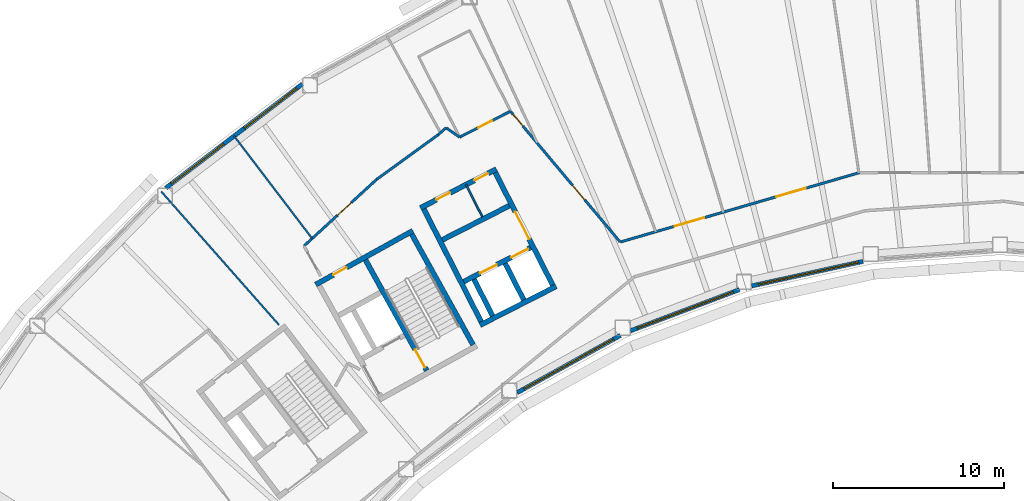
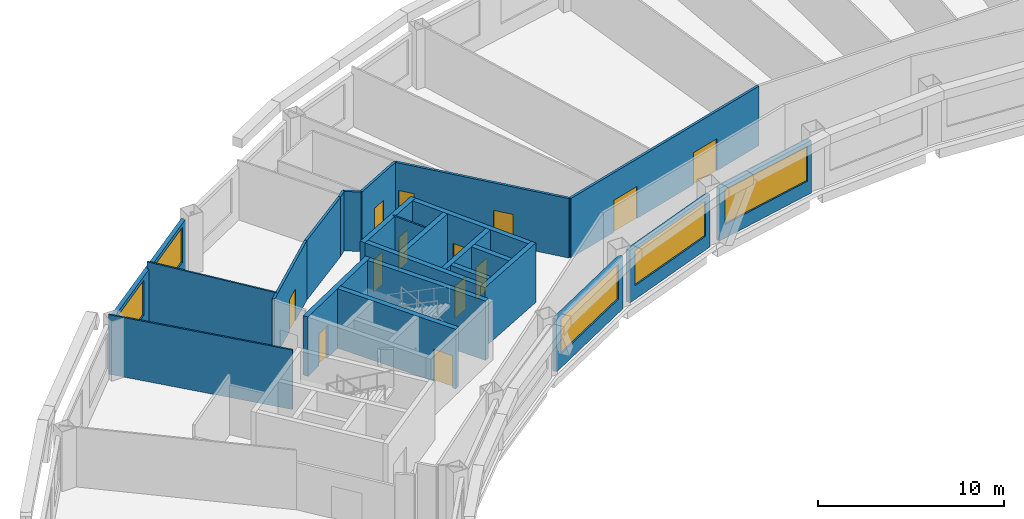
# One storey, part 6 of 14: 25 walls, 13 doors, 5 windows, 18 openings.
"""IFC4 building model written with IfcOpenShell, lengths in metres."""

from ifc_helpers import new_model, si_unit, direction, frame, frame_2d, origin, place, context, subcontext, project, spatial, rectangle, extrude, material, layer, layer_set, type_object, element, fill, save


model = new_model("IFC4")

# Units and contexts
model_context = context("Model", 3, precision=1e-05, world=origin(), true_north=direction((0.0, 1.0)))
body_context = subcontext(model_context, "Body", "Model", "MODEL_VIEW")
ifc_project = project(units=[si_unit("LENGTHUNIT", "METRE"), si_unit("AREAUNIT", "SQUARE_METRE"), si_unit("VOLUMEUNIT", "CUBIC_METRE"), si_unit("PLANEANGLEUNIT", "RADIAN"), si_unit("MASSUNIT", "GRAM", prefix="KILO")], contexts=[model_context])

# Site, building, storey
site_placement = place(None, origin())
site = spatial("IfcSite", under=ifc_project, at=site_placement, CompositionType="ELEMENT")
building_placement = place(site_placement, origin())
building = spatial("IfcBuilding", under=site, at=building_placement, Name="Tuul Gate Civic Tower", CompositionType="ELEMENT")
storey_placement = place(building_placement, frame((0.0, 0.0, 213.699951171875)))
storey = spatial("IfcBuildingStorey", under=building, at=storey_placement, Name="Level 48", CompositionType="ELEMENT", Elevation=213.699951171875)

# Wall, opening, door
ifc_material_1 = material(Name="Concrete C50/60", Category="concrete")
ifc_layer_1 = layer(ifc_material_1, 0.300048828125)
ifc_layer_set_1 = layer_set([ifc_layer_1], Name="Concrete C50/60")
wall_type_1 = type_object("IfcWallType", Name="Core wall C50/60", PredefinedType="SHEAR", material=ifc_layer_set_1)
wall_1_placement = place(storey_placement, frame((-28.4443359375, -1.98095703125, 0.0), z_axis=(0.0, 0.0, 1.0), x_axis=(-0.874629909008, -0.484791215132, 0.0)))
wall_1 = element("IfcWall", 1, at=wall_1_placement, inside=storey, type_object=wall_type_1, Name="Core wall", PredefinedType="SHEAR", context=body_context, shape_type="SweptSolid", body=[
    extrude(rectangle(XDim=6.5, YDim=0.300048828125, at=frame_2d((3.25, 0.0))), origin(), (0.0, 0.0, 1.0), 3.900146484375),
])
opening_1_placement = place(wall_1_placement, frame((4.425048828125, 0.0, 0.0)))
opening_1 = element("IfcOpeningElement", 2, at=opening_1_placement, cuts=wall_1, Name="Opening Q-D27", PredefinedType="OPENING", context=body_context, shape_type="SweptSolid", body=[
    extrude(rectangle(XDim=0.89990234375, YDim=2.10009765625, at=frame_2d((0.449951171875, 1.050048828125))), frame((0.0, 0.16015625, 0.0), z_axis=(0.0, -1.0, 0.0), x_axis=(1.0, 0.0, 0.0)), (0.0, 0.0, 1.0), 0.320068359375),
])
ifc_material_2 = material(Name="Timber door leaf", Category="wood")
door_type_1 = type_object("IfcDoorType", Name="Door D09", OperationType="NOTDEFINED", PredefinedType="DOOR", material=ifc_material_2)
door_1_placement = place(opening_1_placement, origin())
door_1 = element("IfcDoor", 3, at=door_1_placement, inside=storey, type_object=door_type_1, Name="Door Q-D27", OperationType="SINGLE_SWING_LEFT", OverallHeight=2.10009765625, OverallWidth=0.89990234375, PredefinedType="DOOR", context=body_context, shape_type="SweptSolid", body=[
    extrude(rectangle(XDim=0.89990234375, YDim=2.10009765625, at=frame_2d((0.449951171875, 1.050048828125))), frame((0.0, 0.02490234375, 0.0), z_axis=(0.0, -1.0, 0.0), x_axis=(1.0, 0.0, 0.0)), (0.0, 0.0, 1.0), 0.050048828125),
])
fill(opening_1, door_1)

# Wall
wall_2_placement = place(storey_placement, frame((-24.91552734375, -8.6572265625, 0.0), z_axis=(0.0, 0.0, 1.0), x_axis=(-0.484777133038, 0.874637714304, 0.0)))
element("IfcWall", 4, at=wall_2_placement, inside=storey, type_object=wall_type_1, Name="Core wall", PredefinedType="SHEAR", context=body_context, shape_type="SweptSolid", body=[
    extrude(rectangle(XDim=7.400146484375, YDim=0.300048828125, at=frame_2d((3.7001953125, 0.0))), origin(), (0.0, 0.0, 1.0), 3.900146484375),
])

# Wall, opening, door
wall_3_placement = place(storey_placement, frame((-27.626953125, -10.16015625, 0.0), z_axis=(0.0, 0.0, 1.0), x_axis=(-0.484751894226, 0.874651702704, 0.0)))
wall_3 = element("IfcWall", 5, at=wall_3_placement, inside=storey, type_object=wall_type_1, Name="Core wall", PredefinedType="SHEAR", context=body_context, shape_type="SweptSolid", body=[
    extrude(rectangle(XDim=7.39990234375, YDim=0.300048828125, at=frame_2d((3.699951171875, 0.0))), origin(), (0.0, 0.0, 1.0), 3.900146484375),
])
opening_2_placement = place(wall_3_placement, frame((0.199951171875, 0.0, 0.0)))
opening_2 = element("IfcOpeningElement", 6, at=opening_2_placement, cuts=wall_3, Name="Opening SD-ST-2", PredefinedType="OPENING", context=body_context, shape_type="SweptSolid", body=[
    extrude(rectangle(XDim=1.199951171875, YDim=2.10009765625, at=frame_2d((0.60009765625, 1.050048828125))), frame((0.0, 0.16015625, 0.0), z_axis=(0.0, -1.0, 0.0), x_axis=(1.0, 0.0, 0.0)), (0.0, 0.0, 1.0), 0.320068359375),
])
ifc_material_3 = material(Name="Steel", Category="steel")
door_type_2 = type_object("IfcDoorType", Name="Stair door", OperationType="NOTDEFINED", PredefinedType="DOOR", material=ifc_material_3)
door_2_placement = place(opening_2_placement, origin())
door_2 = element("IfcDoor", 7, at=door_2_placement, inside=storey, type_object=door_type_2, Name="Stair door ST-2", OperationType="SINGLE_SWING_LEFT", OverallHeight=2.10009765625, OverallWidth=1.199951171875, PredefinedType="DOOR", context=body_context, shape_type="SweptSolid", body=[
    extrude(rectangle(XDim=1.199951171875, YDim=2.10009765625, at=frame_2d((0.60009765625, 1.050048828125))), frame((0.0, 0.02490234375, 0.0), z_axis=(0.0, -1.0, 0.0), x_axis=(1.0, 0.0, 0.0)), (0.0, 0.0, 1.0), 0.050048828125),
])
fill(opening_2, door_2)

# Wall, openings, doors
ifc_material_4 = material(Name="Gypsum board partition")
ifc_layer_2 = layer(ifc_material_4, 0.14990234375)
ifc_layer_set_2 = layer_set([ifc_layer_2], Name="Gypsum board partition")
wall_type_2 = type_object("IfcWallType", Name="Corridor wall P150", PredefinedType="PARTITIONING", material=ifc_layer_set_2)
wall_4_placement = place(storey_placement, frame((-16.287109375, -2.635986328125, 0.0), z_axis=(0.0, 0.0, 1.0), x_axis=(0.960394372792, 0.278644305001, 0.0)))
wall_4 = element("IfcWall", 8, at=wall_4_placement, inside=storey, type_object=wall_type_2, Name="p035", PredefinedType="PARTITIONING", context=body_context, shape_type="SweptSolid", body=[
    extrude(rectangle(XDim=14.580322265625, YDim=0.14990234375, at=frame_2d((7.2900390625, 0.0))), origin(), (0.0, 0.0, 1.0), 3.900146484375),
])
opening_3_placement = place(wall_4_placement, frame((9.506103515625, 0.0, 0.0)))
opening_3 = element("IfcOpeningElement", 9, at=opening_3_placement, cuts=wall_4, Name="Opening Q-D13", PredefinedType="OPENING", context=body_context, shape_type="SweptSolid", body=[
    extrude(rectangle(XDim=1.800048828125, YDim=2.10009765625, at=frame_2d((0.89990234375, 1.050048828125))), frame((0.0, 0.0849609375, 0.0), z_axis=(0.0, -1.0, 0.0), x_axis=(1.0, 0.0, 0.0)), (0.0, 0.0, 1.0), 0.169921875),
])
opening_4_placement = place(wall_4_placement, frame((3.315673828125, 0.0, 0.0)))
opening_4 = element("IfcOpeningElement", 10, at=opening_4_placement, cuts=wall_4, Name="Opening Q-D14", PredefinedType="OPENING", context=body_context, shape_type="SweptSolid", body=[
    extrude(rectangle(XDim=1.800048828125, YDim=2.10009765625, at=frame_2d((0.89990234375, 1.050048828125))), frame((0.0, 0.0849609375, 0.0), z_axis=(0.0, -1.0, 0.0), x_axis=(1.0, 0.0, 0.0)), (0.0, 0.0, 1.0), 0.169921875),
])
ifc_material_5 = material(Name="Timber door leaf, double", Category="wood")
door_type_3 = type_object("IfcDoorType", Name="Door D18", OperationType="DOUBLE_DOOR_SINGLE_SWING", PredefinedType="DOOR", material=ifc_material_5)
door_3_placement = place(opening_3_placement, origin())
door_3 = element("IfcDoor", 11, at=door_3_placement, inside=storey, type_object=door_type_3, Name="Door Q-D13", OperationType="DOUBLE_DOOR_SINGLE_SWING", OverallHeight=2.10009765625, OverallWidth=1.800048828125, PredefinedType="DOOR", context=body_context, shape_type="SweptSolid", body=[
    extrude(rectangle(XDim=1.800048828125, YDim=2.10009765625, at=frame_2d((0.89990234375, 1.050048828125))), frame((0.0, 0.02490234375, 0.0), z_axis=(0.0, -1.0, 0.0), x_axis=(1.0, 0.0, 0.0)), (0.0, 0.0, 1.0), 0.050048828125),
])
fill(opening_3, door_3)
door_4_placement = place(opening_4_placement, origin())
door_4 = element("IfcDoor", 12, at=door_4_placement, inside=storey, type_object=door_type_3, Name="Door Q-D14", OperationType="DOUBLE_DOOR_SINGLE_SWING", OverallHeight=2.10009765625, OverallWidth=1.800048828125, PredefinedType="DOOR", context=body_context, shape_type="SweptSolid", body=[
    extrude(rectangle(XDim=1.800048828125, YDim=2.10009765625, at=frame_2d((0.89990234375, 1.050048828125))), frame((0.0, 0.02490234375, 0.0), z_axis=(0.0, -1.0, 0.0), x_axis=(1.0, 0.0, 0.0)), (0.0, 0.0, 1.0), 0.050048828125),
])
fill(opening_4, door_4)

wall_5_placement = place(storey_placement, frame((-22.725341796875, 5.02001953125, 0.0), z_axis=(0.0, 0.0, 1.0), x_axis=(0.642708565691, -0.766110761957, 0.0)))
wall_5 = element("IfcWall", 13, at=wall_5_placement, inside=storey, type_object=wall_type_2, Name="p038", PredefinedType="PARTITIONING", context=body_context, shape_type="SweptSolid", body=[
    extrude(rectangle(XDim=9.985107421875, YDim=0.14990234375, at=frame_2d((4.99267578125, 0.0))), origin(), (0.0, 0.0, 1.0), 3.900146484375),
])
opening_5_placement = place(wall_5_placement, frame((5.66748046875, 0.0, 0.0)))
opening_5 = element("IfcOpeningElement", 14, at=opening_5_placement, cuts=wall_5, Name="Opening Q-D15", PredefinedType="OPENING", context=body_context, shape_type="SweptSolid", body=[
    extrude(rectangle(XDim=1.10009765625, YDim=2.10009765625, at=frame_2d((0.550048828125, 1.050048828125))), frame((0.0, 0.0849609375, 0.0), z_axis=(0.0, -1.0, 0.0), x_axis=(1.0, 0.0, 0.0)), (0.0, 0.0, 1.0), 0.169921875),
])
opening_6_placement = place(wall_5_placement, frame((0.23193359375, 0.0, 0.0)))
opening_6 = element("IfcOpeningElement", 15, at=opening_6_placement, cuts=wall_5, Name="Opening Q-D25", PredefinedType="OPENING", context=body_context, shape_type="SweptSolid", body=[
    extrude(rectangle(XDim=0.89990234375, YDim=2.10009765625, at=frame_2d((0.449951171875, 1.050048828125))), frame((0.0, 0.0849609375, 0.0), z_axis=(0.0, -1.0, 0.0), x_axis=(1.0, 0.0, 0.0)), (0.0, 0.0, 1.0), 0.169921875),
])
door_5_placement = place(opening_6_placement, frame((0.89990234375, 0.0, 0.0), z_axis=(0.0, 0.0, 1.0), x_axis=(-1.0, 0.0, 0.0)))
door_5 = element("IfcDoor", 16, at=door_5_placement, inside=storey, type_object=door_type_1, Name="Door Q-D25", OperationType="SINGLE_SWING_RIGHT", OverallHeight=2.10009765625, OverallWidth=0.89990234375, PredefinedType="DOOR", context=body_context, shape_type="SweptSolid", body=[
    extrude(rectangle(XDim=0.89990234375, YDim=2.10009765625, at=frame_2d((0.449951171875, 1.050048828125))), frame((0.0, 0.02490234375, 0.0), z_axis=(0.0, -1.0, 0.0), x_axis=(1.0, 0.0, 0.0)), (0.0, 0.0, 1.0), 0.050048828125),
])
fill(opening_6, door_5)
ifc_material_6 = material(Name="Timber door leaf", Category="wood")
door_type_4 = type_object("IfcDoorType", Name="Door D11", OperationType="NOTDEFINED", PredefinedType="DOOR", material=ifc_material_6)
door_6_placement = place(opening_5_placement, origin())
door_6 = element("IfcDoor", 17, at=door_6_placement, inside=storey, type_object=door_type_4, Name="Door Q-D15", OperationType="SINGLE_SWING_RIGHT", OverallHeight=2.10009765625, OverallWidth=1.10009765625, PredefinedType="DOOR", context=body_context, shape_type="SweptSolid", body=[
    extrude(rectangle(XDim=1.10009765625, YDim=2.10009765625, at=frame_2d((0.550048828125, 1.050048828125))), frame((0.0, 0.02490234375, 0.0), z_axis=(0.0, -1.0, 0.0), x_axis=(1.0, 0.0, 0.0)), (0.0, 0.0, 1.0), 0.050048828125),
])
fill(opening_5, door_6)

# Wall
wall_6_placement = place(storey_placement, frame((-30.564453125, 1.026611328125, 0.0), z_axis=(0.0, 0.0, 1.0), x_axis=(0.809223734311, 0.587500593896, 0.0)))
element("IfcWall", 18, at=wall_6_placement, inside=storey, type_object=wall_type_2, Name="p040", PredefinedType="PARTITIONING", context=body_context, shape_type="SweptSolid", body=[
    extrude(rectangle(XDim=4.457275390625, YDim=0.14990234375, at=frame_2d((2.228515625, 0.0))), origin(), (0.0, 0.0, 1.0), 3.900146484375),
])

# Wall, opening, door
wall_7_placement = place(storey_placement, frame((-25.702392578125, 3.503173828125, 0.0), z_axis=(0.0, 0.0, 1.0), x_axis=(0.891065074367, 0.453875570221, 0.0)))
wall_7 = element("IfcWall", 19, at=wall_7_placement, inside=storey, type_object=wall_type_2, Name="p041", PredefinedType="PARTITIONING", context=body_context, shape_type="SweptSolid", body=[
    extrude(rectangle(XDim=3.3505859375, YDim=0.14990234375, at=frame_2d((1.67529296875, 0.0))), origin(), (0.0, 0.0, 1.0), 3.900146484375),
])
opening_7_placement = place(wall_7_placement, frame((1.2265625, 0.0, 0.0)))
opening_7 = element("IfcOpeningElement", 20, at=opening_7_placement, cuts=wall_7, Name="Opening Q-D16", PredefinedType="OPENING", context=body_context, shape_type="SweptSolid", body=[
    extrude(rectangle(XDim=0.89990234375, YDim=2.10009765625, at=frame_2d((0.449951171875, 1.050048828125))), frame((0.0, 0.0849609375, 0.0), z_axis=(0.0, -1.0, 0.0), x_axis=(1.0, 0.0, 0.0)), (0.0, 0.0, 1.0), 0.169921875),
])
door_7_placement = place(opening_7_placement, origin())
door_7 = element("IfcDoor", 21, at=door_7_placement, inside=storey, type_object=door_type_1, Name="Door Q-D16", OperationType="SINGLE_SWING_RIGHT", OverallHeight=2.10009765625, OverallWidth=0.89990234375, PredefinedType="DOOR", context=body_context, shape_type="SweptSolid", body=[
    extrude(rectangle(XDim=0.89990234375, YDim=2.10009765625, at=frame_2d((0.449951171875, 1.050048828125))), frame((0.0, 0.02490234375, 0.0), z_axis=(0.0, -1.0, 0.0), x_axis=(1.0, 0.0, 0.0)), (0.0, 0.0, 1.0), 0.050048828125),
])
fill(opening_7, door_7)

# Wall
wall_8_placement = place(storey_placement, frame((-26.957275390625, 3.64599609375, 0.0), z_axis=(0.0, 0.0, 1.0), x_axis=(0.752625924752, 0.658448340715, 0.0)))
element("IfcWall", 22, at=wall_8_placement, inside=storey, type_object=wall_type_2, Name="p046", PredefinedType="PARTITIONING", context=body_context, shape_type="SweptSolid", body=[
    extrude(rectangle(XDim=0.614501953125, YDim=0.14990234375, at=frame_2d((0.30712890625, 0.0))), origin(), (0.0, 0.0, 1.0), 3.900146484375),
])

# Wall, opening, door
wall_9_placement = place(storey_placement, frame((-34.812255859375, -2.8671875, 0.0), z_axis=(0.0, 0.0, 1.0), x_axis=(0.737222738244, 0.675649786662, 0.0)))
wall_9 = element("IfcWall", 23, at=wall_9_placement, inside=storey, type_object=wall_type_2, Name="p048", PredefinedType="PARTITIONING", context=body_context, shape_type="SweptSolid", body=[
    extrude(rectangle(XDim=5.76123046875, YDim=0.14990234375, at=frame_2d((2.880615234375, 0.0))), origin(), (0.0, 0.0, 1.0), 3.900146484375),
])
opening_8_placement = place(wall_9_placement, frame((2.652099609375, 0.0, 0.0)))
opening_8 = element("IfcOpeningElement", 24, at=opening_8_placement, cuts=wall_9, Name="Opening Q-D17", PredefinedType="OPENING", context=body_context, shape_type="SweptSolid", body=[
    extrude(rectangle(XDim=1.10009765625, YDim=2.10009765625, at=frame_2d((0.550048828125, 1.050048828125))), frame((0.0, 0.0849609375, 0.0), z_axis=(0.0, -1.0, 0.0), x_axis=(1.0, 0.0, 0.0)), (0.0, 0.0, 1.0), 0.169921875),
])
door_8_placement = place(opening_8_placement, origin())
door_8 = element("IfcDoor", 25, at=door_8_placement, inside=storey, type_object=door_type_4, Name="Door Q-D17", OperationType="SINGLE_SWING_RIGHT", OverallHeight=2.10009765625, OverallWidth=1.10009765625, PredefinedType="DOOR", context=body_context, shape_type="SweptSolid", body=[
    extrude(rectangle(XDim=1.10009765625, YDim=2.10009765625, at=frame_2d((0.550048828125, 1.050048828125))), frame((0.0, 0.02490234375, 0.0), z_axis=(0.0, -1.0, 0.0), x_axis=(1.0, 0.0, 0.0)), (0.0, 0.0, 1.0), 0.050048828125),
])
fill(opening_8, door_8)

# Wall
wall_10_placement = place(storey_placement, frame((-26.494873046875, 4.050537109375, 0.0), z_axis=(0.0, 0.0, 1.0), x_axis=(0.822812234298, -0.568313317713, 0.0)))
element("IfcWall", 26, at=wall_10_placement, inside=storey, type_object=wall_type_2, Name="p078", PredefinedType="PARTITIONING", context=body_context, shape_type="SweptSolid", body=[
    extrude(rectangle(XDim=0.963134765625, YDim=0.14990234375, at=frame_2d((0.4814453125, 0.0))), origin(), (0.0, 0.0, 1.0), 3.900146484375),
])

# Wall, openings, windows
ifc_material_7 = material(Name="Precast concrete C40/50", Category="concrete")
ifc_layer_3 = layer(ifc_material_7, 0.25)
ifc_layer_set_3 = layer_set([ifc_layer_3], Name="Precast concrete C40/50")
wall_type_3 = type_object("IfcWallType", Name="External wall", PredefinedType="STANDARD", material=ifc_layer_set_3)
wall_11_placement = place(storey_placement, frame((-34.9130859375, 6.608642578125, 0.0), z_axis=(0.0, 0.0, 1.0), x_axis=(-0.795599673756, -0.605822712615, 0.0)))
wall_11 = element("IfcWall", 27, at=wall_11_placement, inside=storey, type_object=wall_type_3, Name="External wall", PredefinedType="STANDARD", context=body_context, shape_type="SweptSolid", body=[
    extrude(rectangle(XDim=10.0419921875, YDim=0.25, at=frame_2d((5.02099609375, 0.0))), origin(), (0.0, 0.0, 1.0), 3.449951171875),
])
opening_9_placement = place(wall_11_placement, frame((0.4091796875, 0.0, 0.89990234375)))
opening_9 = element("IfcOpeningElement", 28, at=opening_9_placement, cuts=wall_11, Name="Opening W22", PredefinedType="OPENING", context=body_context, shape_type="SweptSolid", body=[
    extrude(rectangle(XDim=3.85009765625, YDim=2.300048828125, at=frame_2d((1.925048828125, 1.14990234375))), frame((0.0, 0.135009765625, 0.0), z_axis=(0.0, -1.0, 0.0), x_axis=(1.0, 0.0, 0.0)), (0.0, 0.0, 1.0), 0.27001953125),
])
opening_10_placement = place(wall_11_placement, frame((5.780517578125, 0.0, 0.89990234375)))
opening_10 = element("IfcOpeningElement", 29, at=opening_10_placement, cuts=wall_11, Name="Opening W22", PredefinedType="OPENING", context=body_context, shape_type="SweptSolid", body=[
    extrude(rectangle(XDim=3.85009765625, YDim=2.300048828125, at=frame_2d((1.925048828125, 1.14990234375))), frame((0.0, 0.135009765625, 0.0), z_axis=(0.0, -1.0, 0.0), x_axis=(1.0, 0.0, 0.0)), (0.0, 0.0, 1.0), 0.27001953125),
])
ifc_material_8 = material(Name="Glass", Category="glass")
window_type_1 = type_object("IfcWindowType", Name="Window W22 3850 x 2300", PartitioningType="SINGLE_PANEL", PredefinedType="WINDOW", material=ifc_material_8)
window_1_placement = place(opening_9_placement, origin())
window_1 = element("IfcWindow", 30, at=window_1_placement, inside=storey, type_object=window_type_1, Name="Window", OverallHeight=2.300048828125, OverallWidth=3.85009765625, PartitioningType="SINGLE_PANEL", PredefinedType="WINDOW", context=body_context, shape_type="SweptSolid", body=[
    extrude(rectangle(XDim=3.85009765625, YDim=2.300048828125, at=frame_2d((1.925048828125, 1.14990234375))), frame((0.0, 0.030029296875, 0.0), z_axis=(0.0, -1.0, 0.0), x_axis=(1.0, 0.0, 0.0)), (0.0, 0.0, 1.0), 0.06005859375),
])
fill(opening_9, window_1)
window_2_placement = place(opening_10_placement, origin())
window_2 = element("IfcWindow", 31, at=window_2_placement, inside=storey, type_object=window_type_1, Name="Window", OverallHeight=2.300048828125, OverallWidth=3.85009765625, PartitioningType="SINGLE_PANEL", PredefinedType="WINDOW", context=body_context, shape_type="SweptSolid", body=[
    extrude(rectangle(XDim=3.85009765625, YDim=2.300048828125, at=frame_2d((1.925048828125, 1.14990234375))), frame((0.0, 0.030029296875, 0.0), z_axis=(0.0, -1.0, 0.0), x_axis=(1.0, 0.0, 0.0)), (0.0, 0.0, 1.0), 0.06005859375),
])
fill(opening_10, window_2)

# Wall, opening, window
wall_12_placement = place(storey_placement, frame((-22.3369140625, -11.46044921875, 0.0), z_axis=(0.0, 0.0, 1.0), x_axis=(0.874618182136, 0.484812371416, 0.0)))
wall_12 = element("IfcWall", 32, at=wall_12_placement, inside=storey, type_object=wall_type_3, Name="External wall", PredefinedType="STANDARD", context=body_context, shape_type="SweptSolid", body=[
    extrude(rectangle(XDim=6.9150390625, YDim=0.25, at=frame_2d((3.45751953125, 0.0))), origin(), (0.0, 0.0, 1.0), 3.449951171875),
])
opening_11_placement = place(wall_12_placement, frame((0.4619140625, 0.0, 0.89990234375)))
opening_11 = element("IfcOpeningElement", 33, at=opening_11_placement, cuts=wall_12, Name="Opening W26", PredefinedType="OPENING", context=body_context, shape_type="SweptSolid", body=[
    extrude(rectangle(XDim=6.0, YDim=2.300048828125, at=frame_2d((3.0, 1.14990234375))), frame((0.0, 0.135009765625, 0.0), z_axis=(0.0, -1.0, 0.0), x_axis=(1.0, 0.0, 0.0)), (0.0, 0.0, 1.0), 0.27001953125),
])
ifc_material_9 = material(Name="Glass", Category="glass")
window_type_2 = type_object("IfcWindowType", Name="Window W26 6000 x 2300", PartitioningType="SINGLE_PANEL", PredefinedType="WINDOW", material=ifc_material_9)
window_3_placement = place(opening_11_placement, origin())
window_3 = element("IfcWindow", 34, at=window_3_placement, inside=storey, type_object=window_type_2, Name="Window", OverallHeight=2.300048828125, OverallWidth=6.0, PartitioningType="SINGLE_PANEL", PredefinedType="WINDOW", context=body_context, shape_type="SweptSolid", body=[
    extrude(rectangle(XDim=6.0, YDim=2.300048828125, at=frame_2d((3.0, 1.14990234375))), frame((0.0, 0.030029296875, 0.0), z_axis=(0.0, -1.0, 0.0), x_axis=(1.0, 0.0, 0.0)), (0.0, 0.0, 1.0), 0.06005859375),
])
fill(opening_11, window_3)

wall_13_placement = place(storey_placement, frame((-15.697021484375, -7.8349609375, 0.0), z_axis=(0.0, 0.0, 1.0), x_axis=(0.935372377576, 0.35366441052, 0.0)))
wall_13 = element("IfcWall", 35, at=wall_13_placement, inside=storey, type_object=wall_type_3, Name="External wall", PredefinedType="STANDARD", context=body_context, shape_type="SweptSolid", body=[
    extrude(rectangle(XDim=6.819580078125, YDim=0.25, at=frame_2d((3.40966796875, 0.0))), origin(), (0.0, 0.0, 1.0), 3.449951171875),
])
opening_12_placement = place(wall_13_placement, frame((0.43798828125, 0.0, 0.89990234375)))
opening_12 = element("IfcOpeningElement", 36, at=opening_12_placement, cuts=wall_13, Name="Opening W26", PredefinedType="OPENING", context=body_context, shape_type="SweptSolid", body=[
    extrude(rectangle(XDim=6.0, YDim=2.300048828125, at=frame_2d((3.0, 1.14990234375))), frame((0.0, 0.135009765625, 0.0), z_axis=(0.0, -1.0, 0.0), x_axis=(1.0, 0.0, 0.0)), (0.0, 0.0, 1.0), 0.27001953125),
])
window_4_placement = place(opening_12_placement, origin())
window_4 = element("IfcWindow", 37, at=window_4_placement, inside=storey, type_object=window_type_2, Name="Window", OverallHeight=2.300048828125, OverallWidth=6.0, PartitioningType="SINGLE_PANEL", PredefinedType="WINDOW", context=body_context, shape_type="SweptSolid", body=[
    extrude(rectangle(XDim=6.0, YDim=2.300048828125, at=frame_2d((3.0, 1.14990234375))), frame((0.0, 0.030029296875, 0.0), z_axis=(0.0, -1.0, 0.0), x_axis=(1.0, 0.0, 0.0)), (0.0, 0.0, 1.0), 0.06005859375),
])
fill(opening_12, window_4)

wall_14_placement = place(storey_placement, frame((-8.595947265625, -5.206298828125, 0.0), z_axis=(0.0, 0.0, 1.0), x_axis=(0.976558520258, 0.21525207667, 0.0)))
wall_14 = element("IfcWall", 38, at=wall_14_placement, inside=storey, type_object=wall_type_3, Name="External wall", PredefinedType="STANDARD", context=body_context, shape_type="SweptSolid", body=[
    extrude(rectangle(XDim=6.670166015625, YDim=0.25, at=frame_2d((3.3349609375, 0.0))), origin(), (0.0, 0.0, 1.0), 3.449951171875),
])
opening_13_placement = place(wall_14_placement, frame((0.406982421875, 0.0, 0.89990234375)))
opening_13 = element("IfcOpeningElement", 39, at=opening_13_placement, cuts=wall_14, Name="Opening W26", PredefinedType="OPENING", context=body_context, shape_type="SweptSolid", body=[
    extrude(rectangle(XDim=6.0, YDim=2.300048828125, at=frame_2d((3.0, 1.14990234375))), frame((0.0, 0.135009765625, 0.0), z_axis=(0.0, -1.0, 0.0), x_axis=(1.0, 0.0, 0.0)), (0.0, 0.0, 1.0), 0.27001953125),
])
window_5_placement = place(opening_13_placement, origin())
window_5 = element("IfcWindow", 40, at=window_5_placement, inside=storey, type_object=window_type_2, Name="Window", OverallHeight=2.300048828125, OverallWidth=6.0, PartitioningType="SINGLE_PANEL", PredefinedType="WINDOW", context=body_context, shape_type="SweptSolid", body=[
    extrude(rectangle(XDim=6.0, YDim=2.300048828125, at=frame_2d((3.0, 1.14990234375))), frame((0.0, 0.030029296875, 0.0), z_axis=(0.0, -1.0, 0.0), x_axis=(1.0, 0.0, 0.0)), (0.0, 0.0, 1.0), 0.06005859375),
])
fill(opening_13, window_5)

# Wall
ifc_material_10 = material(Name="Concrete C40/50", Category="concrete")
ifc_layer_4 = layer(ifc_material_10, 0.300048828125)
ifc_layer_set_4 = layer_set([ifc_layer_4], Name="Concrete C40/50")
wall_type_4 = type_object("IfcWallType", Name="Lift shaft wall C40/50", PredefinedType="STANDARD", material=ifc_layer_set_4)
wall_15_placement = place(storey_placement, frame((-20.049072265625, -5.232421875, 0.0), z_axis=(0.0, 0.0, 1.0), x_axis=(-0.891002976909, -0.453997461601, 0.0)))
element("IfcWall", 41, at=wall_15_placement, inside=storey, type_object=wall_type_4, Name="Shaft wall", PredefinedType="STANDARD", context=body_context, shape_type="SweptSolid", body=[
    extrude(rectangle(XDim=5.0, YDim=0.300048828125, at=frame_2d((2.5, 0.0))), origin(), (0.0, 0.0, 1.0), 3.900146484375),
])

# Wall, openings, doors
wall_16_placement = place(storey_placement, frame((-21.542236328125, -2.962890625, 0.0), z_axis=(0.0, 0.0, 1.0), x_axis=(-0.891005618941, -0.453992276384, 0.0)))
wall_16 = element("IfcWall", 42, at=wall_16_placement, inside=storey, type_object=wall_type_4, Name="Shaft wall", PredefinedType="STANDARD", context=body_context, shape_type="SweptSolid", body=[
    extrude(rectangle(XDim=4.39990234375, YDim=0.300048828125, at=frame_2d((2.199951171875, 0.0))), origin(), (0.0, 0.0, 1.0), 3.900146484375),
])
opening_14_placement = place(wall_16_placement, frame((0.175048828125, 0.0, 0.0)))
opening_14 = element("IfcOpeningElement", 43, at=opening_14_placement, cuts=wall_16, Name="Opening LD-M1", PredefinedType="OPENING", context=body_context, shape_type="SweptSolid", body=[
    extrude(rectangle(XDim=1.10009765625, YDim=2.10009765625, at=frame_2d((0.550048828125, 1.050048828125))), frame((0.0, 0.16015625, 0.0), z_axis=(0.0, -1.0, 0.0), x_axis=(1.0, 0.0, 0.0)), (0.0, 0.0, 1.0), 0.320068359375),
])
opening_15_placement = place(wall_16_placement, frame((2.22509765625, 0.0, 0.0)))
opening_15 = element("IfcOpeningElement", 44, at=opening_15_placement, cuts=wall_16, Name="Opening LD-M2", PredefinedType="OPENING", context=body_context, shape_type="SweptSolid", body=[
    extrude(rectangle(XDim=1.10009765625, YDim=2.10009765625, at=frame_2d((0.550048828125, 1.050048828125))), frame((0.0, 0.16015625, 0.0), z_axis=(0.0, -1.0, 0.0), x_axis=(1.0, 0.0, 0.0)), (0.0, 0.0, 1.0), 0.320068359375),
])
ifc_material_11 = material(Name="Stainless steel", Category="steel")
door_type_5 = type_object("IfcDoorType", Name="Landing door", OperationType="DOUBLE_DOOR_SLIDING", PredefinedType="DOOR", material=ifc_material_11)
door_9_placement = place(opening_14_placement, origin())
door_9 = element("IfcDoor", 45, at=door_9_placement, inside=storey, type_object=door_type_5, Name="Mid-rise lift M1 landing door", OperationType="DOUBLE_DOOR_SLIDING", OverallHeight=2.10009765625, OverallWidth=1.10009765625, PredefinedType="DOOR", context=body_context, shape_type="SweptSolid", body=[
    extrude(rectangle(XDim=1.10009765625, YDim=2.10009765625, at=frame_2d((0.550048828125, 1.050048828125))), frame((0.0, 0.02490234375, 0.0), z_axis=(0.0, -1.0, 0.0), x_axis=(1.0, 0.0, 0.0)), (0.0, 0.0, 1.0), 0.050048828125),
])
fill(opening_14, door_9)
door_10_placement = place(opening_15_placement, origin())
door_10 = element("IfcDoor", 46, at=door_10_placement, inside=storey, type_object=door_type_5, Name="Mid-rise lift M2 landing door", OperationType="DOUBLE_DOOR_SLIDING", OverallHeight=2.10009765625, OverallWidth=1.10009765625, PredefinedType="DOOR", context=body_context, shape_type="SweptSolid", body=[
    extrude(rectangle(XDim=1.10009765625, YDim=2.10009765625, at=frame_2d((0.550048828125, 1.050048828125))), frame((0.0, 0.02490234375, 0.0), z_axis=(0.0, -1.0, 0.0), x_axis=(1.0, 0.0, 0.0)), (0.0, 0.0, 1.0), 0.050048828125),
])
fill(opening_15, door_10)

# Wall
wall_17_placement = place(storey_placement, frame((-22.790771484375, -0.5126953125, 0.0), z_axis=(0.0, 0.0, 1.0), x_axis=(-0.891005618941, -0.453992276384, 0.0)))
element("IfcWall", 47, at=wall_17_placement, inside=storey, type_object=wall_type_4, Name="Shaft wall", PredefinedType="STANDARD", context=body_context, shape_type="SweptSolid", body=[
    extrude(rectangle(XDim=4.39990234375, YDim=0.300048828125, at=frame_2d((2.199951171875, 0.0))), origin(), (0.0, 0.0, 1.0), 3.900146484375),
])

# Wall, openings, doors
wall_18_placement = place(storey_placement, frame((-23.544921875, 1.62841796875, 0.0), z_axis=(0.0, 0.0, 1.0), x_axis=(-0.891002976909, -0.453997461601, 0.0)))
wall_18 = element("IfcWall", 48, at=wall_18_placement, inside=storey, type_object=wall_type_4, Name="Shaft wall", PredefinedType="STANDARD", context=body_context, shape_type="SweptSolid", body=[
    extrude(rectangle(XDim=5.0, YDim=0.300048828125, at=frame_2d((2.5, 0.0))), origin(), (0.0, 0.0, 1.0), 3.900146484375),
])
opening_16_placement = place(wall_18_placement, frame((0.550048828125, 0.0, 0.0)))
opening_16 = element("IfcOpeningElement", 49, at=opening_16_placement, cuts=wall_18, Name="Opening Q-D31", PredefinedType="OPENING", context=body_context, shape_type="SweptSolid", body=[
    extrude(rectangle(XDim=0.89990234375, YDim=2.10009765625, at=frame_2d((0.449951171875, 1.050048828125))), frame((0.0, 0.16015625, 0.0), z_axis=(0.0, -1.0, 0.0), x_axis=(1.0, 0.0, 0.0)), (0.0, 0.0, 1.0), 0.320068359375),
])
opening_17_placement = place(wall_18_placement, frame((3.050048828125, 0.0, 0.0)))
opening_17 = element("IfcOpeningElement", 50, at=opening_17_placement, cuts=wall_18, Name="Opening Q-D32", PredefinedType="OPENING", context=body_context, shape_type="SweptSolid", body=[
    extrude(rectangle(XDim=0.89990234375, YDim=2.10009765625, at=frame_2d((0.449951171875, 1.050048828125))), frame((0.0, 0.16015625, 0.0), z_axis=(0.0, -1.0, 0.0), x_axis=(1.0, 0.0, 0.0)), (0.0, 0.0, 1.0), 0.320068359375),
])
door_11_placement = place(opening_16_placement, origin())
door_11 = element("IfcDoor", 51, at=door_11_placement, inside=storey, type_object=door_type_1, Name="Door Q-D31", OperationType="SINGLE_SWING_RIGHT", OverallHeight=2.10009765625, OverallWidth=0.89990234375, PredefinedType="DOOR", context=body_context, shape_type="SweptSolid", body=[
    extrude(rectangle(XDim=0.89990234375, YDim=2.10009765625, at=frame_2d((0.449951171875, 1.050048828125))), frame((0.0, 0.02490234375, 0.0), z_axis=(0.0, -1.0, 0.0), x_axis=(1.0, 0.0, 0.0)), (0.0, 0.0, 1.0), 0.050048828125),
])
fill(opening_16, door_11)
door_12_placement = place(opening_17_placement, origin())
door_12 = element("IfcDoor", 52, at=door_12_placement, inside=storey, type_object=door_type_1, Name="Door Q-D32", OperationType="SINGLE_SWING_LEFT", OverallHeight=2.10009765625, OverallWidth=0.89990234375, PredefinedType="DOOR", context=body_context, shape_type="SweptSolid", body=[
    extrude(rectangle(XDim=0.89990234375, YDim=2.10009765625, at=frame_2d((0.449951171875, 1.050048828125))), frame((0.0, 0.02490234375, 0.0), z_axis=(0.0, -1.0, 0.0), x_axis=(1.0, 0.0, 0.0)), (0.0, 0.0, 1.0), 0.050048828125),
])
fill(opening_17, door_12)

# Wall, opening, door
wall_19_placement = place(storey_placement, frame((-20.2509765625, -5.166748046875, 0.0), z_axis=(0.0, 0.0, 1.0), x_axis=(-0.45401029361, 0.89099643843, 0.0)))
wall_19 = element("IfcWall", 53, at=wall_19_placement, inside=storey, type_object=wall_type_4, Name="Shaft wall", PredefinedType="STANDARD", context=body_context, shape_type="SweptSolid", body=[
    extrude(rectangle(XDim=7.39990234375, YDim=0.300048828125, at=frame_2d((3.699951171875, 0.0))), origin(), (0.0, 0.0, 1.0), 3.900146484375),
])
opening_18_placement = place(wall_19_placement, frame((3.02490234375, 0.0, 0.0)))
opening_18 = element("IfcOpeningElement", 54, at=opening_18_placement, cuts=wall_19, Name="Opening LB-W3-LOBBY-1", PredefinedType="OPENING", context=body_context, shape_type="SweptSolid", body=[
    extrude(rectangle(XDim=1.800048828125, YDim=2.10009765625, at=frame_2d((0.89990234375, 1.050048828125))), frame((0.0, 0.16015625, 0.0), z_axis=(0.0, -1.0, 0.0), x_axis=(1.0, 0.0, 0.0)), (0.0, 0.0, 1.0), 0.320068359375),
])
ifc_material_12 = material(Name="Steel", Category="steel")
door_type_6 = type_object("IfcDoorType", Name="Lobby door", OperationType="DOUBLE_DOOR_SINGLE_SWING", PredefinedType="DOOR", material=ifc_material_12)
door_13_placement = place(opening_18_placement, origin())
door_13 = element("IfcDoor", 55, at=door_13_placement, inside=storey, type_object=door_type_6, Name="Lobby door W3-LOBBY", OperationType="DOUBLE_DOOR_SINGLE_SWING", OverallHeight=2.10009765625, OverallWidth=1.800048828125, PredefinedType="DOOR", context=body_context, shape_type="SweptSolid", body=[
    extrude(rectangle(XDim=1.800048828125, YDim=2.10009765625, at=frame_2d((0.89990234375, 1.050048828125))), frame((0.0, 0.02490234375, 0.0), z_axis=(0.0, -1.0, 0.0), x_axis=(1.0, 0.0, 0.0)), (0.0, 0.0, 1.0), 0.050048828125),
])
fill(opening_18, door_13)

# Walls
for number, where, z_axis, x_axis, name in (
    (56, (-21.94384765625, -6.029296875, 0.0), (0.0, 0.0, 1.0), (-0.45403702923, 0.890982814698, 0.0), "Shaft wall"),
    (57, (-23.770263671875, -6.960205078125, 0.0), (0.0, 0.0, 1.0), (-0.45399587725, 0.891003784189, 0.0), "Shaft wall"),
):
    element("IfcWall", number, at=place(storey_placement, frame(where, z_axis=z_axis, x_axis=x_axis)), inside=storey, type_object=wall_type_4, Name=name, PredefinedType="STANDARD", context=body_context, shape_type="SweptSolid", body=[
        extrude(rectangle(XDim=2.39990234375, YDim=0.300048828125, at=frame_2d((1.199951171875, 0.0))), origin(), (0.0, 0.0, 1.0), 3.900146484375),
    ])
wall_20_placement = place(storey_placement, frame((-24.438720703125, -7.300537109375, 0.0), z_axis=(0.0, 0.0, 1.0), x_axis=(-0.453984101083, 0.891009784438, 0.0)))
element("IfcWall", 58, at=wall_20_placement, inside=storey, type_object=wall_type_4, Name="Shaft wall", PredefinedType="STANDARD", context=body_context, shape_type="SweptSolid", body=[
    extrude(rectangle(XDim=7.399658203125, YDim=0.300048828125, at=frame_2d((3.69970703125, 0.0))), origin(), (0.0, 0.0, 1.0), 3.900146484375),
])
ifc_material_13 = material(Name="Gypsum board partition")
ifc_layer_5 = layer(ifc_material_13, 0.10009765625)
ifc_layer_set_5 = layer_set([ifc_layer_5], Name="Gypsum board partition")
wall_type_5 = type_object("IfcWallType", Name="Partition P100", PredefinedType="PARTITIONING", material=ifc_layer_set_5)
wall_21_placement = place(storey_placement, frame((-38.91015625, 3.5712890625, 0.0), z_axis=(0.0, 0.0, 1.0), x_axis=(0.605791715931, -0.795623275746, 0.0)))
element("IfcWall", 59, at=wall_21_placement, inside=storey, type_object=wall_type_5, Name="p045", PredefinedType="PARTITIONING", context=body_context, shape_type="SweptSolid", body=[
    extrude(rectangle(XDim=7.546875, YDim=0.10009765625, at=frame_2d((3.7734375, 0.0))), origin(), (0.0, 0.0, 1.0), 3.900146484375),
])
wall_22_placement = place(storey_placement, frame((-43.1767578125, 0.322509765625, 0.0), z_axis=(0.0, 0.0, 1.0), x_axis=(0.661688273228, -0.749779053504, 0.0)))
element("IfcWall", 60, at=wall_22_placement, inside=storey, type_object=wall_type_5, Name="p050", PredefinedType="PARTITIONING", context=body_context, shape_type="SweptSolid", body=[
    extrude(rectangle(XDim=10.420654296875, YDim=0.10009765625, at=frame_2d((5.21044921875, 0.0))), origin(), (0.0, 0.0, 1.0), 3.900146484375),
])
wall_23_placement = place(storey_placement, frame((-24.37353515625, -1.150634765625, 0.0), z_axis=(0.0, 0.0, 1.0), x_axis=(-0.453990218702, 0.891006667384, 0.0)))
element("IfcWall", 61, at=wall_23_placement, inside=storey, type_object=wall_type_5, Name="bW3-BAND-0", PredefinedType="PARTITIONING", context=body_context, shape_type="SweptSolid", body=[
    extrude(rectangle(XDim=2.10009765625, YDim=0.10009765625, at=frame_2d((1.050048828125, 0.0))), origin(), (0.0, 0.0, 1.0), 3.900146484375),
])

save(model, "model.ifc")
